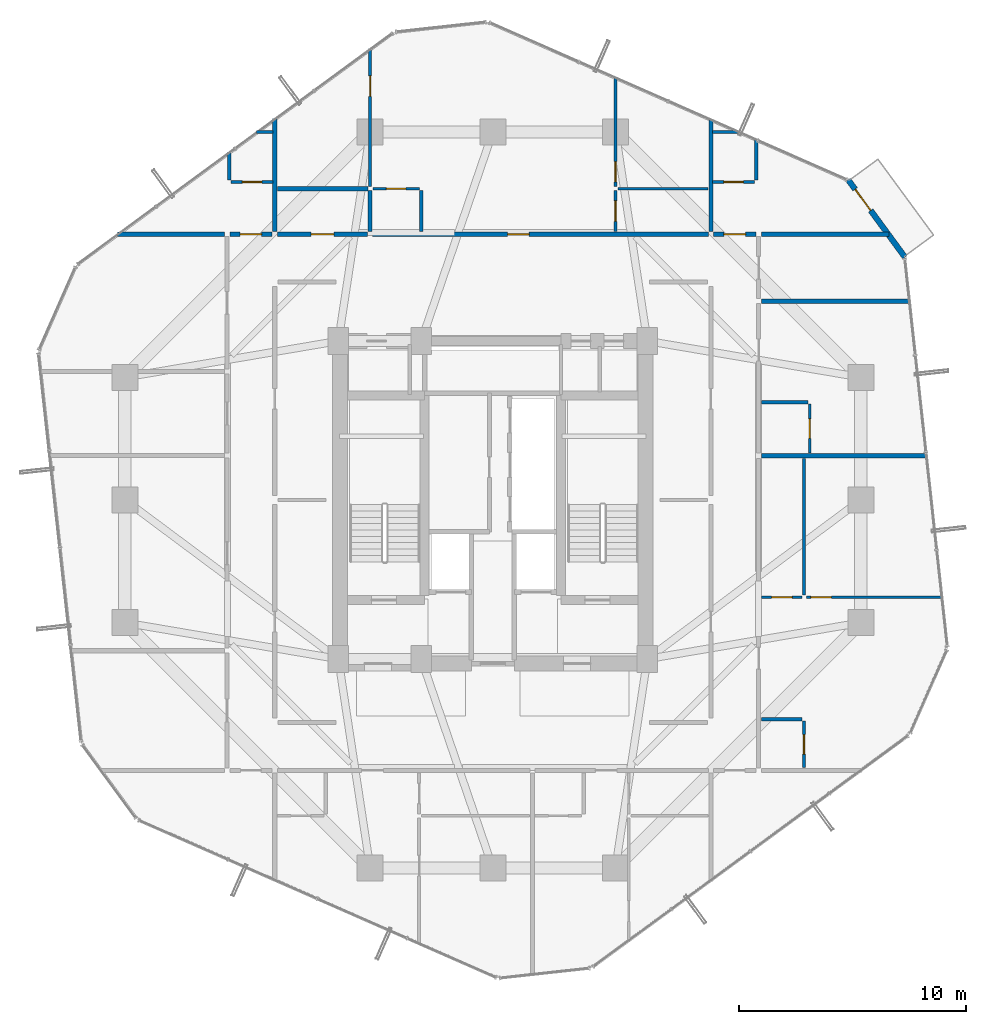
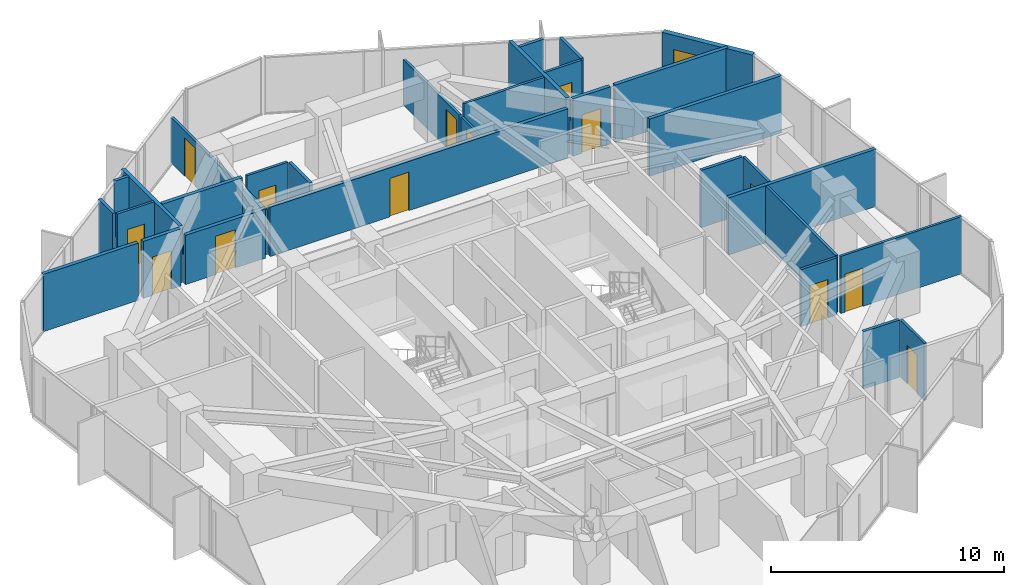
# One storey, part 31 of 34: 32 walls, 15 doors, 15 openings.
"""IFC4 building model written with IfcOpenShell, lengths in metres."""

import ifcopenshell
import ifcopenshell.guid

model = None  # the IFC model being written
_history = None  # IfcOwnerHistory: only IFC2X3 demands one
_inside = {}  # id of a spatial element -> (the spatial element, [elements in it])
_under = {}  # id of a project, library or spatial element -> (it, [spatial elements below it])
_declared = {}  # id of a project -> (the project, [libraries it declares])
_typed = {}  # id of a type object -> (the type object, [elements of that type])
_made_of = {}  # id of a material, layer set ... -> (it, [elements and type objects made of it])


def new_model(schema):
    """Start an empty IFC model of exactly this schema.

    Asked for "IFC4X3", IfcOpenShell would pick the latest addendum, in which some entities
    have other attributes; the version numbers below select the first issue.
    IFC2X3 requires an IfcOwnerHistory on every rooted entity: one is made here for all.
    """
    global model, _history
    if schema == "IFC4X3":
        model = ifcopenshell.file(schema_version=(4, 3, 0, 0))
    else:
        model = ifcopenshell.file(schema=schema)
    _inside.clear()
    _under.clear()
    _declared.clear()
    _typed.clear()
    _made_of.clear()
    _history = None
    if model.schema == "IFC2X3":
        org = make("IfcOrganization", Name="unknown")
        user = make(
            "IfcPersonAndOrganization",
            ThePerson=make("IfcPerson", FamilyName="unknown"),
            TheOrganization=org,
        )
        app = make(
            "IfcApplication",
            ApplicationDeveloper=org,
            Version="unknown",
            ApplicationFullName="unknown",
            ApplicationIdentifier="unknown",
        )
        _history = make(
            "IfcOwnerHistory",
            OwningUser=user,
            OwningApplication=app,
            ChangeAction="ADDED",
            CreationDate=0,
        )
    return model


def make(cls, **values):
    """One entity of the class cls with the attributes given. An attribute that is None is left unset."""
    return model.create_entity(
        cls, **{name: value for name, value in values.items() if value is not None}
    )


def rooted(cls, **values):
    """An entity with a GlobalId (a new one), such as an element, a storey or a relation."""
    return make(cls, GlobalId=ifcopenshell.guid.new(), OwnerHistory=_history, **values)


def si_unit(unit_type, name, prefix=None):
    """IfcSIUnit, for example si_unit("LENGTHUNIT", "METRE", prefix="MILLI")."""
    return make("IfcSIUnit", UnitType=unit_type, Prefix=prefix, Name=name)


def assignment(units):
    """IfcUnitAssignment: the units of a project."""
    return None if units is None else make("IfcUnitAssignment", Units=units)


def point(xyz):
    """IfcCartesianPoint."""
    return None if xyz is None else make("IfcCartesianPoint", Coordinates=xyz)


def direction(xyz):
    """IfcDirection."""
    return None if xyz is None else make("IfcDirection", DirectionRatios=xyz)


def frame(location, z_axis=None, x_axis=None):
    """IfcAxis2Placement3D, a coordinate frame: its origin and axes. An axis left out is left unset."""
    return make(
        "IfcAxis2Placement3D",
        Location=point(location),
        Axis=direction(z_axis),
        RefDirection=direction(x_axis),
    )


def frame_2d(location, x_axis=None):
    """IfcAxis2Placement2D, a coordinate frame in the plane: its origin and x axis."""
    return make(
        "IfcAxis2Placement2D", Location=point(location), RefDirection=direction(x_axis)
    )


def origin():
    """The frame at (0, 0, 0) with its axes left unset."""
    return frame((0.0, 0.0, 0.0))


def place(relative_to, where):
    """IfcLocalPlacement: puts the frame where relative to a parent placement (None: the world)."""
    return make(
        "IfcLocalPlacement", PlacementRelTo=relative_to, RelativePlacement=where
    )


def context(
    kind, dimensions, precision=None, world=None, true_north=None, identifier=None
):
    """IfcGeometricRepresentationContext, for example the 3D "Model" context."""
    return make(
        "IfcGeometricRepresentationContext",
        ContextIdentifier=identifier,
        ContextType=kind,
        CoordinateSpaceDimension=dimensions,
        Precision=precision,
        WorldCoordinateSystem=world,
        TrueNorth=true_north,
    )


def subcontext(parent, identifier, kind, view, scale=None):
    """IfcGeometricRepresentationSubContext, for example "Body" below "Model"."""
    return make(
        "IfcGeometricRepresentationSubContext",
        ContextIdentifier=identifier,
        ContextType=kind,
        ParentContext=parent,
        TargetScale=scale,
        TargetView=view,
    )


def project(units=None, contexts=None):
    """IfcProject with its units and contexts."""
    return rooted(
        "IfcProject",
        Name="project",
        RepresentationContexts=contexts,
        UnitsInContext=assignment(units),
    )


def spatial(cls, under=None, at=None, **own):
    """A site, building, storey or space (cls), placed at a placement, below another one or the project."""
    s = rooted(cls, ObjectPlacement=at, **own)
    if under is not None:
        _under.setdefault(under.id(), (under, []))[1].append(s)
    return s


def profile(cls, at=None, kind="AREA", **sizes):
    """A parametric profile (cls). Its sizes go by their IFC names, for example OverallWidth=200.0."""
    return make(cls, ProfileType=kind, Position=at, **sizes)


def rectangle(**sizes):
    """IfcRectangleProfileDef."""
    return profile("IfcRectangleProfileDef", **sizes)


def extrude(swept, where, along, depth):
    """IfcExtrudedAreaSolid: the profile swept, set in the frame where, extruded along a direction by depth."""
    return make(
        "IfcExtrudedAreaSolid",
        SweptArea=swept,
        Position=where,
        ExtrudedDirection=direction(along),
        Depth=depth,
    )


def shape(context_of_items, identifier, shape_type, items):
    """IfcShapeRepresentation: the items that make up one representation, for example the "Body"."""
    return make(
        "IfcShapeRepresentation",
        ContextOfItems=context_of_items,
        RepresentationIdentifier=identifier,
        RepresentationType=shape_type,
        Items=items,
    )


def source(mapping_origin, context_of_items, identifier, shape_type, items):
    """IfcRepresentationMap: a shape defined once, which mapped items show again and again."""
    return make(
        "IfcRepresentationMap",
        MappingOrigin=mapping_origin,
        MappedRepresentation=shape(context_of_items, identifier, shape_type, items),
    )


def transform(
    local_origin,
    x_axis=None,
    y_axis=None,
    z_axis=None,
    scale=None,
    scale2=None,
    scale3=None,
    uniform=True,
):
    """IfcCartesianTransformationOperator3D, or its non-uniform kind. x_axis, y_axis, z_axis: its Axis1, 2, 3."""
    if uniform:
        return make(
            "IfcCartesianTransformationOperator3D",
            Axis1=direction(x_axis),
            Axis2=direction(y_axis),
            LocalOrigin=point(local_origin),
            Scale=scale,
            Axis3=direction(z_axis),
        )
    return make(
        "IfcCartesianTransformationOperator3DnonUniform",
        Axis1=direction(x_axis),
        Axis2=direction(y_axis),
        LocalOrigin=point(local_origin),
        Scale=scale,
        Axis3=direction(z_axis),
        Scale2=scale2,
        Scale3=scale3,
    )


def mapped(mapping_source, mapping_target):
    """IfcMappedItem: shows the shape of a source again, moved by a transform."""
    return make(
        "IfcMappedItem", MappingSource=mapping_source, MappingTarget=mapping_target
    )


def material(Name=None, Category=None):
    """IfcMaterial."""
    return make("IfcMaterial", Name=Name, Category=Category)


def layer(
    of_material, thickness, ventilated=None, Name=None, Category=None, Priority=None
):
    """IfcMaterialLayer: one layer of a wall or slab, of a material (None: an air gap)."""
    return make(
        "IfcMaterialLayer",
        Material=of_material,
        LayerThickness=thickness,
        IsVentilated=ventilated,
        Name=Name,
        Category=Category,
        Priority=Priority,
    )


def layer_set(layers, Name=None):
    """IfcMaterialLayerSet."""
    return make("IfcMaterialLayerSet", MaterialLayers=layers, LayerSetName=Name)


def made_of(thing, what):
    """Note that an element or type object is made of a material, layer set ...; save() writes the relation."""
    if what is not None:
        _made_of.setdefault(what.id(), (what, []))[1].append(thing)
    return thing


def type_object(cls, material=None, **own):
    """A type object (cls), such as IfcWallType, which elements share."""
    return made_of(rooted(cls, **own), material)


def element(
    cls,
    number,
    at=None,
    inside=None,
    cuts=None,
    type_object=None,
    material=None,
    context=None,
    identifier="Body",
    shape_type=None,
    held_by="IfcProductDefinitionShape",
    body=None,
    shapes=None,
    **own,
):
    """One element of the class cls, such as IfcWall. Its Tag is "e" and its number.

    at: its placement. inside: the storey or other place that contains it. cuts: it is an
    opening in that element (IfcRelVoidsElement). A single representation is given by context,
    identifier, shape_type and body (its items); several are given by shapes. held_by: the class
    of the entity that holds the representations. save() writes the other relations.
    """
    e = rooted(cls, Tag="e%d" % number, ObjectPlacement=at, **own)
    if body is not None:
        shapes = [shape(context, identifier, shape_type, body)]
    if shapes is not None:
        e.Representation = make(held_by, Representations=shapes)
    if inside is not None:
        _inside.setdefault(inside.id(), (inside, []))[1].append(e)
    if cuts is not None:
        rooted(
            "IfcRelVoidsElement", RelatingBuildingElement=cuts, RelatedOpeningElement=e
        )
    if type_object is not None:
        _typed.setdefault(type_object.id(), (type_object, []))[1].append(e)
    return made_of(e, material)


def fill(opening, filler):
    """IfcRelFillsElement: the door or window that sits in an opening."""
    return rooted(
        "IfcRelFillsElement",
        RelatingOpeningElement=opening,
        RelatedBuildingElement=filler,
    )


def aggregate(whole, parts):
    """IfcRelAggregates: a whole, such as a stair, and the parts it consists of."""
    return rooted("IfcRelAggregates", RelatingObject=whole, RelatedObjects=parts)


def save(model, path):
    """Write the relations noted so far, then the file.

    IfcRelAggregates (storeys below a building ...), IfcRelContainedInSpatialStructure (elements
    in a storey), IfcRelDefinesByType, IfcRelAssociatesMaterial and IfcRelDeclares: one each for
    every whole, place, type object, material and project.
    """
    for whole, parts in _under.values():
        aggregate(whole, parts)
    for where, things in _inside.values():
        rooted(
            "IfcRelContainedInSpatialStructure",
            RelatedElements=things,
            RelatingStructure=where,
        )
    for kind, things in _typed.values():
        rooted("IfcRelDefinesByType", RelatedObjects=things, RelatingType=kind)
    for what, things in _made_of.values():
        rooted("IfcRelAssociatesMaterial", RelatedObjects=things, RelatingMaterial=what)
    for by, libraries in _declared.values():
        rooted("IfcRelDeclares", RelatingContext=by, RelatedDefinitions=libraries)
    model.write(path)


model = new_model("IFC4")

# Units and contexts
model_context = context("Model", 3, precision=1e-05, world=origin(), true_north=direction((0.0, 1.0)))
body_context = subcontext(model_context, "Body", "Model", "MODEL_VIEW")
ifc_project = project(units=[si_unit("LENGTHUNIT", "METRE"), si_unit("AREAUNIT", "SQUARE_METRE"), si_unit("VOLUMEUNIT", "CUBIC_METRE"), si_unit("PLANEANGLEUNIT", "RADIAN"), si_unit("MASSUNIT", "GRAM", prefix="KILO")], contexts=[model_context])

# Site, building, storey
site_placement = place(None, origin())
site = spatial("IfcSite", under=ifc_project, at=site_placement, CompositionType="ELEMENT")
building_placement = place(site_placement, origin())
building = spatial("IfcBuilding", under=site, at=building_placement, Name="Veraguas Prism Commons", CompositionType="ELEMENT")
storey_placement = place(building_placement, frame((0.0, 0.0, 149.0)))
storey = spatial("IfcBuildingStorey", under=building, at=storey_placement, Name="L42", CompositionType="ELEMENT", Elevation=149.0)

# Walls
ifc_material_1 = material(Name="Autoclaved aerated masonry block 10 MPa", Category="masonry")
ifc_layer_1 = layer(ifc_material_1, 0.179931640625, Name="Corridor and Inter-Tenancy Partition 180", Category="masonry")
ifc_layer_set_1 = layer_set([ifc_layer_1], Name="Autoclaved aerated masonry block 10 MPa")
wall_type_1 = type_object("IfcWallType", Name="Corridor and Inter-Tenancy Partition 180", PredefinedType="PARTITIONING", material=ifc_layer_set_1)
wall_1_placement = place(storey_placement, frame((14.39990234375, 35.820068359375, 0.0), z_axis=(0.0, 0.0, 1.0), x_axis=(0.0, 1.0, 0.0)))
element("IfcWall", 1, at=wall_1_placement, inside=storey, type_object=wall_type_1, Name="WL-L42-PT016", PredefinedType="PARTITIONING", context=body_context, shape_type="SweptSolid", body=[
    extrude(rectangle(XDim=4.965087890625, YDim=0.179931640625, at=frame_2d((2.482421875, 0.0))), origin(), (0.0, 0.0, 1.0), 3.0),
])
wall_2_placement = place(storey_placement, frame((33.60009765625, 35.820068359375, 0.0), z_axis=(0.0, 0.0, 1.0), x_axis=(0.0, 1.0, 0.0)))
element("IfcWall", 2, at=wall_2_placement, inside=storey, type_object=wall_type_1, Name="WL-L42-PT017", PredefinedType="PARTITIONING", context=body_context, shape_type="SweptSolid", body=[
    extrude(rectangle(XDim=4.9462890625, YDim=0.179931640625, at=frame_2d((2.47314453125, 0.0))), origin(), (0.0, 0.0, 1.0), 3.0),
])

# Wall, opening, door
wall_3_placement = place(storey_placement, frame((14.510009765625, 35.699951171875, 0.0), z_axis=(0.0, 0.0, 1.0), x_axis=(1.0, 0.0, 0.0)))
wall_3 = element("IfcWall", 3, at=wall_3_placement, inside=storey, type_object=wall_type_1, Name="WL-L42-PT018", PredefinedType="PARTITIONING", context=body_context, shape_type="SweptSolid", body=[
    extrude(rectangle(XDim=3.97998046875, YDim=0.179931640625, at=frame_2d((1.989990234375, 0.0))), origin(), (0.0, 0.0, 1.0), 2.580078125),
])
opening_1_placement = place(wall_3_placement, frame((1.489990234375, 0.0, 0.0)))
opening_1 = element("IfcOpeningElement", 4, at=opening_1_placement, cuts=wall_3, Name="Opening DR-13", PredefinedType="OPENING", context=body_context, shape_type="SweptSolid", body=[
    extrude(rectangle(XDim=1.0, YDim=2.010009765625, at=frame_2d((0.5, 1.0048828125))), frame((0.0, 0.099853515625, 0.0), z_axis=(0.0, -1.0, 0.0), x_axis=(1.0, 0.0, 0.0)), (0.0, 0.0, 1.0), 0.199951171875),
])
ifc_material_2 = material(Name="Steel fire-rated door assembly", Category="steel")
door_type_1 = type_object("IfcDoorType", Name="Core Accessible WC and Clinic Fire Door 1000x2010", OperationType="NOTDEFINED", PredefinedType="DOOR", material=ifc_material_2)
shared_shape_1 = source(origin(), body_context, "Body", "SweptSolid", [
    extrude(rectangle(XDim=1.0, YDim=2.010009765625, at=frame_2d((0.5, 1.0048828125))), frame((0.0, 0.02490234375, 0.0), z_axis=(0.0, -1.0, 0.0), x_axis=(1.0, 0.0, 0.0)), (0.0, 0.0, 1.0), 0.050048828125),
])
door_1_placement = place(opening_1_placement, origin())
door_1 = element("IfcDoor", 5, at=door_1_placement, inside=storey, type_object=door_type_1, Name="Residents Study Alcove 42C Door", OperationType="SINGLE_SWING_RIGHT", OverallHeight=2.010009765625, OverallWidth=1.0, PredefinedType="DOOR", context=body_context, shape_type="MappedRepresentation", body=[
    mapped(shared_shape_1, transform((0.0, 0.0, 0.0), scale=1.0)),
])
fill(opening_1, door_1)

wall_4_placement = place(storey_placement, frame((18.7099609375, 35.699951171875, 0.0), z_axis=(0.0, 0.0, 1.0), x_axis=(1.0, 0.0, 0.0)))
wall_4 = element("IfcWall", 6, at=wall_4_placement, inside=storey, type_object=wall_type_1, Name="WL-L42-PT019", PredefinedType="PARTITIONING", context=body_context, shape_type="SweptSolid", body=[
    extrude(rectangle(XDim=14.780029296875, YDim=0.179931640625, at=frame_2d((7.39013671875, 0.0))), origin(), (0.0, 0.0, 1.0), 2.580078125),
])
opening_2_placement = place(wall_4_placement, frame((5.93994140625, 0.0, 0.0)))
opening_2 = element("IfcOpeningElement", 7, at=opening_2_placement, cuts=wall_4, Name="Opening DR-01", PredefinedType="OPENING", context=body_context, shape_type="SweptSolid", body=[
    extrude(rectangle(XDim=0.949951171875, YDim=2.02001953125, at=frame_2d((0.47509765625, 1.010009765625))), frame((0.0, 0.099853515625, 0.0), z_axis=(0.0, -1.0, 0.0), x_axis=(1.0, 0.0, 0.0)), (0.0, 0.0, 1.0), 0.199951171875),
])
ifc_material_3 = material(Name="Anodised aluminium EN AW-6063 T6", Category="aluminium")
door_type_2 = type_object("IfcDoorType", Name="Apartment Entrance Fire Door 950x2020", OperationType="NOTDEFINED", PredefinedType="DOOR", material=ifc_material_3)
shared_shape_2 = source(origin(), body_context, "Body", "SweptSolid", [
    extrude(rectangle(XDim=0.949951171875, YDim=2.02001953125, at=frame_2d((0.47509765625, 1.010009765625))), frame((0.0, 0.02490234375, 0.0), z_axis=(0.0, -1.0, 0.0), x_axis=(1.0, 0.0, 0.0)), (0.0, 0.0, 1.0), 0.050048828125),
])
door_2_placement = place(opening_2_placement, origin())
door_2 = element("IfcDoor", 8, at=door_2_placement, inside=storey, type_object=door_type_2, Name="Flat 42C Entrance Door", OperationType="SINGLE_SWING_LEFT", OverallHeight=2.02001953125, OverallWidth=0.949951171875, PredefinedType="DOOR", context=body_context, shape_type="MappedRepresentation", body=[
    mapped(shared_shape_2, transform((0.0, 0.0, 0.0), scale=1.0)),
])
fill(opening_2, door_2)

# Walls
wall_5_placement = place(storey_placement, frame((14.52001953125, 37.699951171875, 0.0), z_axis=(0.0, 0.0, 1.0), x_axis=(1.0, 0.0, 0.0)))
element("IfcWall", 9, at=wall_5_placement, inside=storey, type_object=wall_type_1, Name="WL-L42-PT020", PredefinedType="PARTITIONING", context=body_context, shape_type="SweptSolid", body=[
    extrude(rectangle(XDim=3.97998046875, YDim=0.179931640625, at=frame_2d((1.989990234375, 0.0))), origin(), (0.0, 0.0, 1.0), 3.0),
])
wall_6_placement = place(storey_placement, frame((18.60009765625, 35.820068359375, 0.0), z_axis=(0.0, 0.0, 1.0), x_axis=(0.0, 1.0, 0.0)))
element("IfcWall", 10, at=wall_6_placement, inside=storey, type_object=wall_type_1, Name="WL-L42-PT021", PredefinedType="PARTITIONING", context=body_context, shape_type="SweptSolid", body=[
    extrude(rectangle(XDim=1.800048828125, YDim=0.179931640625, at=frame_2d((0.89990234375, 0.0))), origin(), (0.0, 0.0, 1.0), 2.3779296875),
])
wall_7_placement = place(storey_placement, frame((12.179931640625, 35.699951171875, 0.0), z_axis=(0.0, 0.0, 1.0), x_axis=(-1.0, 0.0, 0.0)))
element("IfcWall", 11, at=wall_7_placement, inside=storey, type_object=wall_type_1, Name="WL-L42-PT029", PredefinedType="PARTITIONING", context=body_context, shape_type="SweptSolid", body=[
    extrude(rectangle(XDim=4.712646484375, YDim=0.179931640625, at=frame_2d((2.3564453125, 0.0))), origin(), (0.0, 0.0, 1.0), 3.0),
])
wall_8_placement = place(storey_placement, frame((35.820068359375, 35.699951171875, 0.0), z_axis=(0.0, 0.0, 1.0), x_axis=(1.0, 0.0, 0.0)))
element("IfcWall", 12, at=wall_8_placement, inside=storey, type_object=wall_type_1, Name="WL-L42-PT038", PredefinedType="PARTITIONING", context=body_context, shape_type="SweptSolid", body=[
    extrude(rectangle(XDim=5.6181640625, YDim=0.179931640625, at=frame_2d((2.80908203125, 0.0))), origin(), (0.0, 0.0, 1.0), 3.0),
])
wall_9_placement = place(storey_placement, frame((35.820068359375, 25.947998046875, 0.0), z_axis=(0.0, 0.0, 1.0), x_axis=(1.0, 0.0, 0.0)))
element("IfcWall", 13, at=wall_9_placement, inside=storey, type_object=wall_type_1, Name="WL-L42-PT045", PredefinedType="PARTITIONING", context=body_context, shape_type="SweptSolid", body=[
    extrude(rectangle(XDim=7.2939453125, YDim=0.179931640625, at=frame_2d((3.64697265625, 0.0))), origin(), (0.0, 0.0, 1.0), 3.0),
])
wall_10_placement = place(storey_placement, frame((35.820068359375, 32.75, 0.0), z_axis=(0.0, 0.0, 1.0), x_axis=(1.0, 0.0, 0.0)))
element("IfcWall", 14, at=wall_10_placement, inside=storey, type_object=wall_type_1, Name="WL-L42-PT047", PredefinedType="PARTITIONING", context=body_context, shape_type="SweptSolid", body=[
    extrude(rectangle(XDim=6.5478515625, YDim=0.179931640625, at=frame_2d((3.27392578125, 0.0))), origin(), (0.0, 0.0, 1.0), 3.0),
])

# Wall, opening, door
wall_11_placement = place(storey_placement, frame((12.419921875, 35.699951171875, 0.0), z_axis=(0.0, 0.0, 1.0), x_axis=(1.0, 0.0, 0.0)))
wall_11 = element("IfcWall", 15, at=wall_11_placement, inside=storey, type_object=wall_type_1, Name="WL-L42-PT053", PredefinedType="PARTITIONING", context=body_context, shape_type="SweptSolid", body=[
    extrude(rectangle(XDim=1.860107421875, YDim=0.179931640625, at=frame_2d((0.93017578125, 0.0))), origin(), (0.0, 0.0, 1.0), 3.0),
])
opening_3_placement = place(wall_11_placement, frame((0.455078125, 0.0, 0.0)))
opening_3 = element("IfcOpeningElement", 16, at=opening_3_placement, cuts=wall_11, Name="Opening DR-01", PredefinedType="OPENING", context=body_context, shape_type="SweptSolid", body=[
    extrude(rectangle(XDim=0.949951171875, YDim=2.02001953125, at=frame_2d((0.47509765625, 1.010009765625))), frame((0.0, 0.099853515625, 0.0), z_axis=(0.0, -1.0, 0.0), x_axis=(1.0, 0.0, 0.0)), (0.0, 0.0, 1.0), 0.199951171875),
])
door_3_placement = place(opening_3_placement, origin())
door_3 = element("IfcDoor", 17, at=door_3_placement, inside=storey, type_object=door_type_2, Name="Studio 42F Entrance Door", OperationType="SINGLE_SWING_LEFT", OverallHeight=2.02001953125, OverallWidth=0.949951171875, PredefinedType="DOOR", context=body_context, shape_type="MappedRepresentation", body=[
    mapped(shared_shape_2, transform((0.0, 0.0, 0.0), scale=1.0)),
])
fill(opening_3, door_3)

wall_12_placement = place(storey_placement, frame((33.719970703125, 35.699951171875, 0.0), z_axis=(0.0, 0.0, 1.0), x_axis=(1.0, 0.0, 0.0)))
wall_12 = element("IfcWall", 18, at=wall_12_placement, inside=storey, type_object=wall_type_1, Name="WL-L42-PT057", PredefinedType="PARTITIONING", context=body_context, shape_type="SweptSolid", body=[
    extrude(rectangle(XDim=1.860107421875, YDim=0.179931640625, at=frame_2d((0.93017578125, 0.0))), origin(), (0.0, 0.0, 1.0), 3.0),
])
opening_4_placement = place(wall_12_placement, frame((0.455078125, 0.0, 0.0)))
opening_4 = element("IfcOpeningElement", 19, at=opening_4_placement, cuts=wall_12, Name="Opening DR-01", PredefinedType="OPENING", context=body_context, shape_type="SweptSolid", body=[
    extrude(rectangle(XDim=0.949951171875, YDim=2.02001953125, at=frame_2d((0.47509765625, 1.010009765625))), frame((0.0, 0.099853515625, 0.0), z_axis=(0.0, -1.0, 0.0), x_axis=(1.0, 0.0, 0.0)), (0.0, 0.0, 1.0), 0.199951171875),
])
door_4_placement = place(opening_4_placement, origin())
door_4 = element("IfcDoor", 20, at=door_4_placement, inside=storey, type_object=door_type_2, Name="Studio 42G Entrance Door", OperationType="SINGLE_SWING_LEFT", OverallHeight=2.02001953125, OverallWidth=0.949951171875, PredefinedType="DOOR", context=body_context, shape_type="MappedRepresentation", body=[
    mapped(shared_shape_2, transform((0.0, 0.0, 0.0), scale=1.0)),
])
fill(opening_4, door_4)

ifc_material_4 = material(Name="Precast concrete C40/50", Category="concrete")
ifc_layer_2 = layer(ifc_material_4, 0.25, Name="External Loggia and Portal Wall 250", Category="concrete")
ifc_layer_set_2 = layer_set([ifc_layer_2], Name="Precast concrete C40/50")
wall_type_2 = type_object("IfcWallType", Name="External Loggia and Portal Wall 250", PredefinedType="SOLIDWALL", material=ifc_layer_set_2)
wall_13_placement = place(storey_placement, frame((42.1455078125, 34.684814453125, 0.0), z_axis=(0.0, 0.0, 1.0), x_axis=(-0.591421166937, 0.806362823609, 0.0)))
wall_13 = element("IfcWall", 21, at=wall_13_placement, inside=storey, type_object=wall_type_2, Name="Corner Loggia Wall L42-C1", PredefinedType="SOLIDWALL", context=body_context, shape_type="SweptSolid", body=[
    extrude(rectangle(XDim=4.2333984375, YDim=0.25, at=frame_2d((2.11669921875, 0.0))), origin(), (0.0, 0.0, 1.0), 3.0),
])
opening_5_placement = place(wall_13_placement, frame((2.56005859375, 0.0, 0.0)))
opening_5 = element("IfcOpeningElement", 22, at=opening_5_placement, cuts=wall_13, Name="Opening DR-10", PredefinedType="OPENING", context=body_context, shape_type="SweptSolid", body=[
    extrude(rectangle(XDim=1.14990234375, YDim=2.25, at=frame_2d((0.574951171875, 1.125))), frame((0.0, 0.135009765625, 0.0), z_axis=(0.0, -1.0, 0.0), x_axis=(1.0, 0.0, 0.0)), (0.0, 0.0, 1.0), 0.27001953125),
])
door_type_3 = type_object("IfcDoorType", Name="Glazed Loggia and Terrace Door 1150x2250", OperationType="NOTDEFINED", PredefinedType="DOOR", material=ifc_material_3)
shared_shape_3 = source(origin(), body_context, "Body", "SweptSolid", [
    extrude(rectangle(XDim=1.14990234375, YDim=2.25, at=frame_2d((0.574951171875, 1.125))), frame((0.0, 0.02490234375, 0.0), z_axis=(0.0, -1.0, 0.0), x_axis=(1.0, 0.0, 0.0)), (0.0, 0.0, 1.0), 0.050048828125),
])
door_5_placement = place(opening_5_placement, frame((1.14990234375, 0.0, 0.0), z_axis=(0.0, 0.0, 1.0), x_axis=(-1.0, 0.0, 0.0)))
door_5 = element("IfcDoor", 23, at=door_5_placement, inside=storey, type_object=door_type_3, Name="Recessed Loggia Door L42-C1", OperationType="SINGLE_SWING_RIGHT", OverallHeight=2.25, OverallWidth=1.14990234375, PredefinedType="DOOR", context=body_context, shape_type="MappedRepresentation", body=[
    mapped(shared_shape_3, transform((0.0, 0.0, 0.0), scale=1.0)),
])
fill(opening_5, door_5)

ifc_material_5 = material(Name="Lightweight acoustic gypsum board")
ifc_layer_3 = layer(ifc_material_5, 0.125, Name="Internal Apartment Room Partition 125")
ifc_layer_set_3 = layer_set([ifc_layer_3], Name="Lightweight acoustic gypsum board")
wall_type_3 = type_object("IfcWallType", Name="Internal Apartment Room Partition 125", PredefinedType="PARTITIONING", material=ifc_layer_set_3)
wall_14_placement = place(storey_placement, frame((18.60009765625, 37.800048828125, 0.0), z_axis=(0.0, 0.0, 1.0), x_axis=(0.0, 1.0, 0.0)))
wall_14 = element("IfcWall", 24, at=wall_14_placement, inside=storey, type_object=wall_type_3, Name="WL-L42-PT022", PredefinedType="PARTITIONING", context=body_context, shape_type="SweptSolid", body=[
    extrude(rectangle(XDim=6.065673828125, YDim=0.125, at=frame_2d((3.03271484375, 0.0))), origin(), (0.0, 0.0, 1.0), 2.3779296875),
])
opening_6_placement = place(wall_14_placement, frame((3.972900390625, 0.0, 0.0)))
opening_6 = element("IfcOpeningElement", 25, at=opening_6_placement, cuts=wall_14, Name="Opening DR-02", PredefinedType="OPENING", context=body_context, shape_type="SweptSolid", body=[
    extrude(rectangle(XDim=0.89990234375, YDim=2.010009765625, at=frame_2d((0.449951171875, 1.0048828125))), frame((0.0, 0.072509765625, 0.0), z_axis=(0.0, -1.0, 0.0), x_axis=(1.0, 0.0, 0.0)), (0.0, 0.0, 1.0), 0.14501953125),
])
ifc_material_6 = material(Name="Timber solid core hardwood", Category="wood")
door_type_4 = type_object("IfcDoorType", Name="Internal Habitable Room Door 900x2010", OperationType="NOTDEFINED", PredefinedType="DOOR", material=ifc_material_6)
shared_shape_4 = source(origin(), body_context, "Body", "SweptSolid", [
    extrude(rectangle(XDim=0.89990234375, YDim=2.010009765625, at=frame_2d((0.449951171875, 1.0048828125))), frame((0.0, 0.02490234375, 0.0), z_axis=(0.0, -1.0, 0.0), x_axis=(1.0, 0.0, 0.0)), (0.0, 0.0, 1.0), 0.050048828125),
])
door_6_placement = place(opening_6_placement, origin())
door_6 = element("IfcDoor", 26, at=door_6_placement, inside=storey, type_object=door_type_4, Name="Flat 42C Bedroom 2 Door", OperationType="SINGLE_SWING_RIGHT", OverallHeight=2.010009765625, OverallWidth=0.89990234375, PredefinedType="DOOR", context=body_context, shape_type="MappedRepresentation", body=[
    mapped(shared_shape_4, transform((0.0, 0.0, 0.0), scale=1.0)),
])
fill(opening_6, door_6)

wall_15_placement = place(storey_placement, frame((18.719970703125, 37.699951171875, 0.0), z_axis=(0.0, 0.0, 1.0), x_axis=(1.0, 0.0, 0.0)))
wall_15 = element("IfcWall", 27, at=wall_15_placement, inside=storey, type_object=wall_type_3, Name="WL-L42-PT024", PredefinedType="PARTITIONING", context=body_context, shape_type="SweptSolid", body=[
    extrude(rectangle(XDim=2.050048828125, YDim=0.125, at=frame_2d((1.02490234375, 0.0))), origin(), (0.0, 0.0, 1.0), 3.0),
])
opening_7_placement = place(wall_15_placement, frame((0.594970703125, 0.0, 0.0)))
opening_7 = element("IfcOpeningElement", 28, at=opening_7_placement, cuts=wall_15, Name="Opening DR-03", PredefinedType="OPENING", context=body_context, shape_type="SweptSolid", body=[
    extrude(rectangle(XDim=0.860107421875, YDim=2.010009765625, at=frame_2d((0.43017578125, 1.0048828125))), frame((0.0, 0.072509765625, 0.0), z_axis=(0.0, -1.0, 0.0), x_axis=(1.0, 0.0, 0.0)), (0.0, 0.0, 1.0), 0.14501953125),
])
ifc_material_7 = material(Name="Timber moisture-resistant leaf", Category="wood")
door_type_5 = type_object("IfcDoorType", Name="Internal Bathroom Door 860x2010", OperationType="NOTDEFINED", PredefinedType="DOOR", material=ifc_material_7)
shared_shape_5 = source(origin(), body_context, "Body", "SweptSolid", [
    extrude(rectangle(XDim=0.860107421875, YDim=2.010009765625, at=frame_2d((0.43017578125, 1.0048828125))), frame((0.0, 0.02490234375, 0.0), z_axis=(0.0, -1.0, 0.0), x_axis=(1.0, 0.0, 0.0)), (0.0, 0.0, 1.0), 0.050048828125),
])
door_7_placement = place(opening_7_placement, origin())
door_7 = element("IfcDoor", 29, at=door_7_placement, inside=storey, type_object=door_type_5, Name="Flat 42C Bathroom Door", OperationType="SINGLE_SWING_LEFT", OverallHeight=2.010009765625, OverallWidth=0.860107421875, PredefinedType="DOOR", context=body_context, shape_type="MappedRepresentation", body=[
    mapped(shared_shape_5, transform((0.0, 0.0, 0.0), scale=1.0)),
])
fill(opening_7, door_7)

wall_16_placement = place(storey_placement, frame((29.39990234375, 35.820068359375, 0.0), z_axis=(0.0, 0.0, 1.0), x_axis=(0.0, 1.0, 0.0)))
wall_16 = element("IfcWall", 30, at=wall_16_placement, inside=storey, type_object=wall_type_3, Name="WL-L42-PT025", PredefinedType="PARTITIONING", context=body_context, shape_type="SweptSolid", body=[
    extrude(rectangle(XDim=1.800048828125, YDim=0.125, at=frame_2d((0.89990234375, 0.0))), origin(), (0.0, 0.0, 1.0), 2.3779296875),
])
opening_8_placement = place(wall_16_placement, frame((0.449951171875, 0.0, 0.0)))
opening_8 = element("IfcOpeningElement", 31, at=opening_8_placement, cuts=wall_16, Name="Opening DR-02", PredefinedType="OPENING", context=body_context, shape_type="SweptSolid", body=[
    extrude(rectangle(XDim=0.89990234375, YDim=2.010009765625, at=frame_2d((0.449951171875, 1.0048828125))), frame((0.0, 0.072509765625, 0.0), z_axis=(0.0, -1.0, 0.0), x_axis=(1.0, 0.0, 0.0)), (0.0, 0.0, 1.0), 0.14501953125),
])
door_8_placement = place(opening_8_placement, origin())
door_8 = element("IfcDoor", 32, at=door_8_placement, inside=storey, type_object=door_type_4, Name="Flat 42C Kitchen Door", OperationType="SINGLE_SWING_RIGHT", OverallHeight=2.010009765625, OverallWidth=0.89990234375, PredefinedType="DOOR", context=body_context, shape_type="MappedRepresentation", body=[
    mapped(shared_shape_4, transform((0.0, 0.0, 0.0), scale=1.0)),
])
fill(opening_8, door_8)

# Wall
wall_17_placement = place(storey_placement, frame((29.5, 37.699951171875, 0.0), z_axis=(0.0, 0.0, 1.0), x_axis=(1.0, 0.0, 0.0)))
element("IfcWall", 33, at=wall_17_placement, inside=storey, type_object=wall_type_3, Name="WL-L42-PT026", PredefinedType="PARTITIONING", context=body_context, shape_type="SweptSolid", body=[
    extrude(rectangle(XDim=3.97998046875, YDim=0.125, at=frame_2d((1.989990234375, 0.0))), origin(), (0.0, 0.0, 1.0), 3.0),
])

# Wall, opening, door
wall_18_placement = place(storey_placement, frame((29.39990234375, 37.800048828125, 0.0), z_axis=(0.0, 0.0, 1.0), x_axis=(0.0, 1.0, 0.0)))
wall_18 = element("IfcWall", 34, at=wall_18_placement, inside=storey, type_object=wall_type_3, Name="WL-L42-PT027", PredefinedType="PARTITIONING", context=body_context, shape_type="SweptSolid", body=[
    extrude(rectangle(XDim=4.8134765625, YDim=0.125, at=frame_2d((2.40673828125, 0.0))), origin(), (0.0, 0.0, 1.0), 2.3779296875),
])
opening_9_placement = place(wall_18_placement, frame((0.199951171875, 0.0, 0.0)))
opening_9 = element("IfcOpeningElement", 35, at=opening_9_placement, cuts=wall_18, Name="Opening DR-02", PredefinedType="OPENING", context=body_context, shape_type="SweptSolid", body=[
    extrude(rectangle(XDim=0.89990234375, YDim=2.010009765625, at=frame_2d((0.449951171875, 1.0048828125))), frame((0.0, 0.072509765625, 0.0), z_axis=(0.0, -1.0, 0.0), x_axis=(1.0, 0.0, 0.0)), (0.0, 0.0, 1.0), 0.14501953125),
])
door_9_placement = place(opening_9_placement, origin())
door_9 = element("IfcDoor", 36, at=door_9_placement, inside=storey, type_object=door_type_4, Name="Flat 42C Bedroom 1 Door", OperationType="SINGLE_SWING_LEFT", OverallHeight=2.010009765625, OverallWidth=0.89990234375, PredefinedType="DOOR", context=body_context, shape_type="MappedRepresentation", body=[
    mapped(shared_shape_4, transform((0.0, 0.0, 0.0), scale=1.0)),
])
fill(opening_9, door_9)

wall_19_placement = place(storey_placement, frame((37.699951171875, 12.219970703125, 0.0), z_axis=(0.0, 0.0, 1.0), x_axis=(0.0, 1.0, 0.0)))
wall_19 = element("IfcWall", 37, at=wall_19_placement, inside=storey, type_object=wall_type_3, Name="WL-L42-PT041", PredefinedType="PARTITIONING", context=body_context, shape_type="SweptSolid", body=[
    extrude(rectangle(XDim=2.050048828125, YDim=0.125, at=frame_2d((1.02490234375, 0.0))), origin(), (0.0, 0.0, 1.0), 3.0),
])
opening_10_placement = place(wall_19_placement, frame((0.594970703125, 0.0, 0.0)))
opening_10 = element("IfcOpeningElement", 38, at=opening_10_placement, cuts=wall_19, Name="Opening DR-03", PredefinedType="OPENING", context=body_context, shape_type="SweptSolid", body=[
    extrude(rectangle(XDim=0.860107421875, YDim=2.010009765625, at=frame_2d((0.43017578125, 1.0048828125))), frame((0.0, 0.072509765625, 0.0), z_axis=(0.0, -1.0, 0.0), x_axis=(1.0, 0.0, 0.0)), (0.0, 0.0, 1.0), 0.14501953125),
])
door_10_placement = place(opening_10_placement, origin())
door_10 = element("IfcDoor", 39, at=door_10_placement, inside=storey, type_object=door_type_5, Name="Flat 42D Bathroom Door", OperationType="SINGLE_SWING_LEFT", OverallHeight=2.010009765625, OverallWidth=0.860107421875, PredefinedType="DOOR", context=body_context, shape_type="MappedRepresentation", body=[
    mapped(shared_shape_5, transform((0.0, 0.0, 0.0), scale=1.0)),
])
fill(opening_10, door_10)

wall_20_placement = place(storey_placement, frame((35.820068359375, 19.716064453125, 0.0), z_axis=(0.0, 0.0, 1.0), x_axis=(1.0, 0.0, 0.0)))
wall_20 = element("IfcWall", 40, at=wall_20_placement, inside=storey, type_object=wall_type_3, Name="WL-L42-PT042", PredefinedType="PARTITIONING", context=body_context, shape_type="SweptSolid", body=[
    extrude(rectangle(XDim=1.800048828125, YDim=0.125, at=frame_2d((0.89990234375, 0.0))), origin(), (0.0, 0.0, 1.0), 3.0),
])
opening_11_placement = place(wall_20_placement, frame((0.449951171875, 0.0, 0.0)))
opening_11 = element("IfcOpeningElement", 41, at=opening_11_placement, cuts=wall_20, Name="Opening DR-02", PredefinedType="OPENING", context=body_context, shape_type="SweptSolid", body=[
    extrude(rectangle(XDim=0.89990234375, YDim=2.010009765625, at=frame_2d((0.449951171875, 1.0048828125))), frame((0.0, 0.072509765625, 0.0), z_axis=(0.0, -1.0, 0.0), x_axis=(1.0, 0.0, 0.0)), (0.0, 0.0, 1.0), 0.14501953125),
])
door_11_placement = place(opening_11_placement, origin())
door_11 = element("IfcDoor", 42, at=door_11_placement, inside=storey, type_object=door_type_4, Name="Flat 42D Kitchen Door", OperationType="SINGLE_SWING_RIGHT", OverallHeight=2.010009765625, OverallWidth=0.89990234375, PredefinedType="DOOR", context=body_context, shape_type="MappedRepresentation", body=[
    mapped(shared_shape_4, transform((0.0, 0.0, 0.0), scale=1.0)),
])
fill(opening_11, door_11)

# Wall
wall_21_placement = place(storey_placement, frame((37.699951171875, 19.81591796875, 0.0), z_axis=(0.0, 0.0, 1.0), x_axis=(0.0, 1.0, 0.0)))
element("IfcWall", 43, at=wall_21_placement, inside=storey, type_object=wall_type_3, Name="WL-L42-PT043", PredefinedType="PARTITIONING", context=body_context, shape_type="SweptSolid", body=[
    extrude(rectangle(XDim=6.011962890625, YDim=0.125, at=frame_2d((3.005859375, 0.0))), origin(), (0.0, 0.0, 1.0), 3.0),
])

# Wall, opening, door
wall_22_placement = place(storey_placement, frame((37.800048828125, 19.716064453125, 0.0), z_axis=(0.0, 0.0, 1.0), x_axis=(1.0, 0.0, 0.0)))
wall_22 = element("IfcWall", 44, at=wall_22_placement, inside=storey, type_object=wall_type_3, Name="WL-L42-PT044", PredefinedType="PARTITIONING", context=body_context, shape_type="SweptSolid", body=[
    extrude(rectangle(XDim=5.99755859375, YDim=0.125, at=frame_2d((2.998779296875, 0.0))), origin(), (0.0, 0.0, 1.0), 3.0),
])
opening_12_placement = place(wall_22_placement, frame((0.199951171875, 0.0, 0.0)))
opening_12 = element("IfcOpeningElement", 45, at=opening_12_placement, cuts=wall_22, Name="Opening DR-02", PredefinedType="OPENING", context=body_context, shape_type="SweptSolid", body=[
    extrude(rectangle(XDim=0.89990234375, YDim=2.010009765625, at=frame_2d((0.449951171875, 1.0048828125))), frame((0.0, 0.072509765625, 0.0), z_axis=(0.0, -1.0, 0.0), x_axis=(1.0, 0.0, 0.0)), (0.0, 0.0, 1.0), 0.14501953125),
])
door_12_placement = place(opening_12_placement, origin())
door_12 = element("IfcDoor", 46, at=door_12_placement, inside=storey, type_object=door_type_4, Name="Flat 42D Bedroom 1 Door", OperationType="SINGLE_SWING_LEFT", OverallHeight=2.010009765625, OverallWidth=0.89990234375, PredefinedType="DOOR", context=body_context, shape_type="MappedRepresentation", body=[
    mapped(shared_shape_4, transform((0.0, 0.0, 0.0), scale=1.0)),
])
fill(opening_12, door_12)

wall_23_placement = place(storey_placement, frame((37.949951171875, 26.068115234375, 0.0), z_axis=(0.0, 0.0, 1.0), x_axis=(0.0, 1.0, 0.0)))
wall_23 = element("IfcWall", 47, at=wall_23_placement, inside=storey, type_object=wall_type_3, Name="WL-L42-PT050", PredefinedType="PARTITIONING", context=body_context, shape_type="SweptSolid", body=[
    extrude(rectangle(XDim=2.14990234375, YDim=0.125, at=frame_2d((1.074951171875, 0.0))), origin(), (0.0, 0.0, 1.0), 3.0),
])
opening_13_placement = place(wall_23_placement, frame((0.64501953125, 0.0, 0.0)))
opening_13 = element("IfcOpeningElement", 48, at=opening_13_placement, cuts=wall_23, Name="Opening DR-03", PredefinedType="OPENING", context=body_context, shape_type="SweptSolid", body=[
    extrude(rectangle(XDim=0.860107421875, YDim=2.010009765625, at=frame_2d((0.43017578125, 1.0048828125))), frame((0.0, 0.072509765625, 0.0), z_axis=(0.0, -1.0, 0.0), x_axis=(1.0, 0.0, 0.0)), (0.0, 0.0, 1.0), 0.14501953125),
])
door_13_placement = place(opening_13_placement, origin())
door_13 = element("IfcDoor", 49, at=door_13_placement, inside=storey, type_object=door_type_5, Name="Studio 42E Bathroom Door", OperationType="SINGLE_SWING_RIGHT", OverallHeight=2.010009765625, OverallWidth=0.860107421875, PredefinedType="DOOR", context=body_context, shape_type="MappedRepresentation", body=[
    mapped(shared_shape_5, transform((0.0, 0.0, 0.0), scale=1.0)),
])
fill(opening_13, door_13)

wall_24_placement = place(storey_placement, frame((12.47998046875, 38.0, 0.0), z_axis=(0.0, 0.0, 1.0), x_axis=(1.0, 0.0, 0.0)))
wall_24 = element("IfcWall", 50, at=wall_24_placement, inside=storey, type_object=wall_type_3, Name="WL-L42-PT054", PredefinedType="PARTITIONING", context=body_context, shape_type="SweptSolid", body=[
    extrude(rectangle(XDim=1.840087890625, YDim=0.125, at=frame_2d((0.919921875, 0.0))), origin(), (0.0, 0.0, 1.0), 3.0),
])
opening_14_placement = place(wall_24_placement, frame((0.489990234375, 0.0, 0.0)))
opening_14 = element("IfcOpeningElement", 51, at=opening_14_placement, cuts=wall_24, Name="Opening DR-03", PredefinedType="OPENING", context=body_context, shape_type="SweptSolid", body=[
    extrude(rectangle(XDim=0.860107421875, YDim=2.010009765625, at=frame_2d((0.43017578125, 1.0048828125))), frame((0.0, 0.072509765625, 0.0), z_axis=(0.0, -1.0, 0.0), x_axis=(1.0, 0.0, 0.0)), (0.0, 0.0, 1.0), 0.14501953125),
])
door_14_placement = place(opening_14_placement, origin())
door_14 = element("IfcDoor", 52, at=door_14_placement, inside=storey, type_object=door_type_5, Name="Studio 42F Bathroom Door", OperationType="SINGLE_SWING_RIGHT", OverallHeight=2.010009765625, OverallWidth=0.860107421875, PredefinedType="DOOR", context=body_context, shape_type="MappedRepresentation", body=[
    mapped(shared_shape_5, transform((0.0, 0.0, 0.0), scale=1.0)),
])
fill(opening_14, door_14)

wall_25_placement = place(storey_placement, frame((33.679931640625, 38.0, 0.0), z_axis=(0.0, 0.0, 1.0), x_axis=(1.0, 0.0, 0.0)))
wall_25 = element("IfcWall", 53, at=wall_25_placement, inside=storey, type_object=wall_type_3, Name="WL-L42-PT058", PredefinedType="PARTITIONING", context=body_context, shape_type="SweptSolid", body=[
    extrude(rectangle(XDim=1.840087890625, YDim=0.125, at=frame_2d((0.919921875, 0.0))), origin(), (0.0, 0.0, 1.0), 3.0),
])
opening_15_placement = place(wall_25_placement, frame((0.489990234375, 0.0, 0.0)))
opening_15 = element("IfcOpeningElement", 54, at=opening_15_placement, cuts=wall_25, Name="Opening DR-03", PredefinedType="OPENING", context=body_context, shape_type="SweptSolid", body=[
    extrude(rectangle(XDim=0.860107421875, YDim=2.010009765625, at=frame_2d((0.43017578125, 1.0048828125))), frame((0.0, 0.072509765625, 0.0), z_axis=(0.0, -1.0, 0.0), x_axis=(1.0, 0.0, 0.0)), (0.0, 0.0, 1.0), 0.14501953125),
])
door_15_placement = place(opening_15_placement, origin())
door_15 = element("IfcDoor", 55, at=door_15_placement, inside=storey, type_object=door_type_5, Name="Studio 42G Bathroom Door", OperationType="SINGLE_SWING_RIGHT", OverallHeight=2.010009765625, OverallWidth=0.860107421875, PredefinedType="DOOR", context=body_context, shape_type="MappedRepresentation", body=[
    mapped(shared_shape_5, transform((0.0, 0.0, 0.0), scale=1.0)),
])
fill(opening_15, door_15)

# Walls
ifc_layer_4 = layer(ifc_material_5, 0.14990234375, Name="Wet Room and Clinic Acoustic Partition 150")
ifc_layer_set_4 = layer_set([ifc_layer_4], Name="Lightweight acoustic gypsum board")
wall_type_4 = type_object("IfcWallType", Name="Wet Room and Clinic Acoustic Partition 150", PredefinedType="PARTITIONING", material=ifc_layer_set_4)
for number, where, z_axis, x_axis, name in (
    (56, (20.85009765625, 35.820068359375, 0.0), (0.0, 0.0, 1.0), (0.0, 1.0, 0.0), "WL-L42-PT023"),
    (57, (35.820068359375, 14.35009765625, 0.0), (0.0, 0.0, 1.0), (1.0, 0.0, 0.0), "WL-L42-PT040"),
):
    element("IfcWall", number, at=place(storey_placement, frame(where, z_axis=z_axis, x_axis=x_axis)), inside=storey, type_object=wall_type_4, Name=name, PredefinedType="PARTITIONING", context=body_context, shape_type="SweptSolid", body=[
        extrude(rectangle(XDim=1.800048828125, YDim=0.14990234375, at=frame_2d((0.89990234375, 0.0))), origin(), (0.0, 0.0, 1.0), 3.0),
    ])
wall_26_placement = place(storey_placement, frame((35.820068359375, 28.298095703125, 0.0), z_axis=(0.0, 0.0, 1.0), x_axis=(1.0, 0.0, 0.0)))
element("IfcWall", 58, at=wall_26_placement, inside=storey, type_object=wall_type_4, Name="WL-L42-PT049", PredefinedType="PARTITIONING", context=body_context, shape_type="SweptSolid", body=[
    extrude(rectangle(XDim=2.050048828125, YDim=0.14990234375, at=frame_2d((1.02490234375, 0.0))), origin(), (0.0, 0.0, 1.0), 3.0),
])
wall_27_placement = place(storey_placement, frame((13.602294921875, 40.199951171875, 0.0), z_axis=(0.0, 0.0, 1.0), x_axis=(1.0, 0.0, 0.0)))
element("IfcWall", 59, at=wall_27_placement, inside=storey, type_object=wall_type_4, Name="WL-L42-PT055", PredefinedType="PARTITIONING", context=body_context, shape_type="SweptSolid", body=[
    extrude(rectangle(XDim=0.7177734375, YDim=0.14990234375, at=frame_2d((0.35888671875, 0.0))), origin(), (0.0, 0.0, 1.0), 3.0),
])
wall_28_placement = place(storey_placement, frame((12.39990234375, 38.080078125, 0.0), z_axis=(0.0, 0.0, 1.0), x_axis=(0.0, 1.0, 0.0)))
element("IfcWall", 60, at=wall_28_placement, inside=storey, type_object=wall_type_4, Name="WL-L42-PT056", PredefinedType="PARTITIONING", context=body_context, shape_type="SweptSolid", body=[
    extrude(rectangle(XDim=1.238037109375, YDim=0.14990234375, at=frame_2d((0.619140625, 0.0))), origin(), (0.0, 0.0, 1.0), 3.0),
])
wall_29_placement = place(storey_placement, frame((33.679931640625, 40.199951171875, 0.0), z_axis=(0.0, 0.0, 1.0), x_axis=(1.0, 0.0, 0.0)))
element("IfcWall", 61, at=wall_29_placement, inside=storey, type_object=wall_type_4, Name="WL-L42-PT059", PredefinedType="PARTITIONING", context=body_context, shape_type="SweptSolid", body=[
    extrude(rectangle(XDim=1.2080078125, YDim=0.14990234375, at=frame_2d((0.60400390625, 0.0))), origin(), (0.0, 0.0, 1.0), 3.0),
])
wall_30_placement = place(storey_placement, frame((35.60009765625, 38.080078125, 0.0), z_axis=(0.0, 0.0, 1.0), x_axis=(0.0, 1.0, 0.0)))
element("IfcWall", 62, at=wall_30_placement, inside=storey, type_object=wall_type_4, Name="WL-L42-PT060", PredefinedType="PARTITIONING", context=body_context, shape_type="SweptSolid", body=[
    extrude(rectangle(XDim=1.806640625, YDim=0.14990234375, at=frame_2d((0.9033203125, 0.0))), origin(), (0.0, 0.0, 1.0), 3.0),
])

save(model, "model.ifc")
